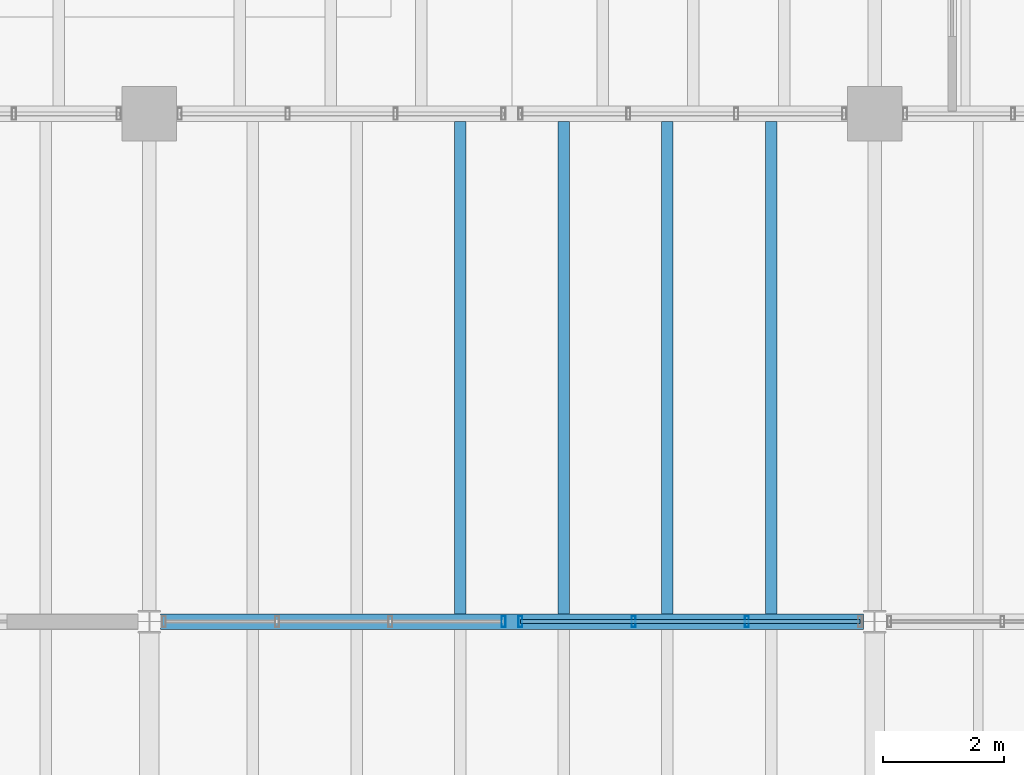
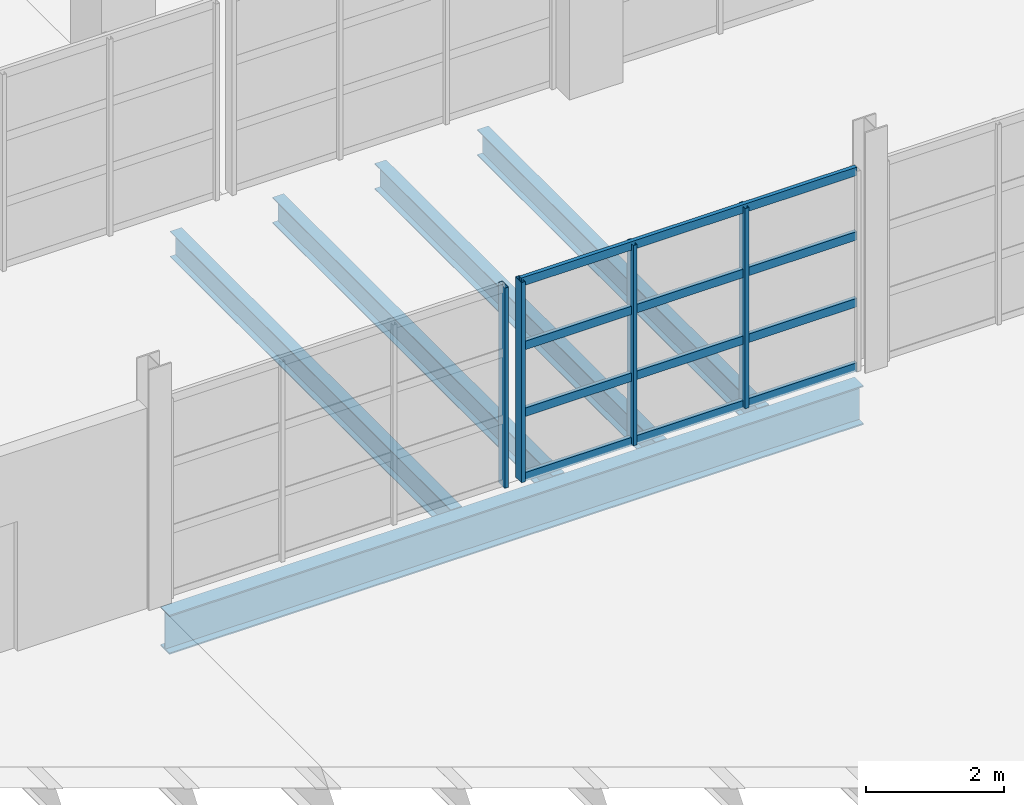
# One storey, part 27 of 114: 8 members, 5 beams, 2 elements without a shape of their own.
"""IFC4 building model written with IfcOpenShell, lengths in metres."""

from ifc_helpers import new_model, si_unit, direction, frame, origin, origin_2d, place, context, subcontext, project, spatial, hollow_rectangle, i_section, extrude, material, material_profile, profile_set, type_object, element, aggregate, save


model = new_model("IFC4")

# Units and contexts
model_context = context("Model", 3, precision=1e-05, world=origin(), true_north=direction((0.0, 1.0)))
body_context = subcontext(model_context, "Body", "Model", "MODEL_VIEW")
ifc_project = project(units=[si_unit("LENGTHUNIT", "METRE"), si_unit("AREAUNIT", "SQUARE_METRE"), si_unit("VOLUMEUNIT", "CUBIC_METRE"), si_unit("PLANEANGLEUNIT", "RADIAN"), si_unit("MASSUNIT", "GRAM", prefix="KILO")], contexts=[model_context])

# Site, building, storey
site_placement = place(None, origin())
site = spatial("IfcSite", under=ifc_project, at=site_placement, CompositionType="ELEMENT")
building_placement = place(site_placement, origin())
building = spatial("IfcBuilding", under=site, at=building_placement, Name="Kelmvaro Bay Concert Hall", CompositionType="ELEMENT")
storey_placement = place(building_placement, frame((0.0, 0.0, 4.800048828125)))
storey = spatial("IfcBuildingStorey", under=building, at=storey_placement, Name="L01", CompositionType="ELEMENT", Elevation=4.800048828125)

# Curtain wall, member
ifc_material_1 = material(Name="Anodised Aluminium and Low-E Insulated Glazing", Category="aluminium")
curtain_wall_type = type_object("IfcCurtainWallType", Name="West Link Courtyard Curtain Wall 4000", PredefinedType="USERDEFINED", material=ifc_material_1)
curtain_wall_1_placement = place(storey_placement, origin())
curtain_wall_1 = element("IfcCurtainWall", 1, at=curtain_wall_1_placement, inside=storey, type_object=curtain_wall_type, Name="Unitised Curtain Wall CW-L01-138", ObjectType="UNITISED GLAZING", PredefinedType="USERDEFINED")
ifc_material_2 = material(Name="Anodised Extruded Aluminium 6063-T6", Category="aluminium")
ifc_material_profile_1 = material_profile(ifc_material_2, hollow_rectangle(XDim=0.06494140625, YDim=0.179931640625, WallThickness=0.00390625, at=origin_2d()), Name="ALU-MUL-180X65")
ifc_profile_set_1 = profile_set([ifc_material_profile_1], Name="Anodised Extruded Aluminium 6063-T6")
member_type_1 = type_object("IfcMemberType", Name="Curtain Mullion ALU 180x65", PredefinedType="MULLION", material=ifc_profile_set_1)
member_1_placement = place(storey_placement, frame((41.860107421875, 57.0, 0.0), z_axis=(0.0, 0.0, 1.0), x_axis=(1.0, 0.0, 0.0)))
member_1 = element("IfcMember", 2, at=member_1_placement, type_object=member_type_1, Name="CW-L01-138 Mullion 04", PredefinedType="MULLION", context=body_context, shape_type="SweptSolid", body=[
    extrude(hollow_rectangle(XDim=0.06494140625, YDim=0.179931640625, WallThickness=0.00390625, at=origin_2d()), origin(), (0.0, 0.0, 1.0), 3.546875),
])
aggregate(curtain_wall_1, [member_1])

# Curtain wall, members
curtain_wall_2_placement = place(storey_placement, origin())
curtain_wall_2 = element("IfcCurtainWall", 3, at=curtain_wall_2_placement, inside=storey, type_object=curtain_wall_type, Name="Unitised Curtain Wall CW-L01-139", ObjectType="UNITISED GLAZING", PredefinedType="USERDEFINED")
member_2_placement = place(storey_placement, frame((42.139892578125, 57.0, 0.0), z_axis=(0.0, 0.0, 1.0), x_axis=(1.0, 0.0, 0.0)))
member_2 = element("IfcMember", 4, at=member_2_placement, type_object=member_type_1, Name="CW-L01-139 Mullion 01", PredefinedType="MULLION", context=body_context, shape_type="SweptSolid", body=[
    extrude(hollow_rectangle(XDim=0.06494140625, YDim=0.179931640625, WallThickness=0.00390625, at=origin_2d()), origin(), (0.0, 0.0, 1.0), 3.546875),
])
member_3_placement = place(storey_placement, frame((44.0126953125, 57.0, 0.0), z_axis=(0.0, 0.0, 1.0), x_axis=(1.0, 0.0, 0.0)))
member_3 = element("IfcMember", 5, at=member_3_placement, type_object=member_type_1, Name="CW-L01-139 Mullion 02", PredefinedType="MULLION", context=body_context, shape_type="SweptSolid", body=[
    extrude(hollow_rectangle(XDim=0.06494140625, YDim=0.179931640625, WallThickness=0.00390625, at=origin_2d()), origin(), (0.0, 0.0, 1.0), 3.546875),
])
member_4_placement = place(storey_placement, frame((45.8857421875, 57.0, 0.0), z_axis=(0.0, 0.0, 1.0), x_axis=(1.0, 0.0, 0.0)))
member_4 = element("IfcMember", 6, at=member_4_placement, type_object=member_type_1, Name="CW-L01-139 Mullion 03", PredefinedType="MULLION", context=body_context, shape_type="SweptSolid", body=[
    extrude(hollow_rectangle(XDim=0.06494140625, YDim=0.179931640625, WallThickness=0.00390625, at=origin_2d()), origin(), (0.0, 0.0, 1.0), 3.546875),
])
ifc_material_3 = material(Name="Anodised Extruded Aluminium 6063-T6", Category="aluminium")
ifc_material_profile_2 = material_profile(ifc_material_3, hollow_rectangle(XDim=0.06494140625, YDim=0.14990234375, WallThickness=0.00390625, at=origin_2d()), Name="ALU-TRN-150X65")
ifc_profile_set_2 = profile_set([ifc_material_profile_2], Name="Anodised Extruded Aluminium 6063-T6")
member_type_2 = type_object("IfcMemberType", Name="Curtain Transom ALU 150x65", PredefinedType="USERDEFINED", material=ifc_profile_set_2)
member_5_placement = place(storey_placement, frame((42.139892578125, 57.0, 0.0400390625), z_axis=(1.0, 0.0, 0.0), x_axis=(0.0, 1.0, 0.0)))
member_5 = element("IfcMember", 7, at=member_5_placement, type_object=member_type_2, Name="CW-L01-139 Transom 01", ObjectType="TRANSOM", PredefinedType="USERDEFINED", context=body_context, shape_type="SweptSolid", body=[
    extrude(hollow_rectangle(XDim=0.06494140625, YDim=0.14990234375, WallThickness=0.00390625, at=origin_2d()), origin(), (0.0, 0.0, 1.0), 5.61865234375),
])
member_6_placement = place(storey_placement, frame((42.139892578125, 57.0, 1.182373046875), z_axis=(1.0, 0.0, 0.0), x_axis=(0.0, 1.0, 0.0)))
member_6 = element("IfcMember", 8, at=member_6_placement, type_object=member_type_2, Name="CW-L01-139 Transom 02", ObjectType="TRANSOM", PredefinedType="USERDEFINED", context=body_context, shape_type="SweptSolid", body=[
    extrude(hollow_rectangle(XDim=0.06494140625, YDim=0.14990234375, WallThickness=0.00390625, at=origin_2d()), origin(), (0.0, 0.0, 1.0), 5.61865234375),
])
member_7_placement = place(storey_placement, frame((42.139892578125, 57.0, 2.36474609375), z_axis=(1.0, 0.0, 0.0), x_axis=(0.0, 1.0, 0.0)))
member_7 = element("IfcMember", 9, at=member_7_placement, type_object=member_type_2, Name="CW-L01-139 Transom 03", ObjectType="TRANSOM", PredefinedType="USERDEFINED", context=body_context, shape_type="SweptSolid", body=[
    extrude(hollow_rectangle(XDim=0.06494140625, YDim=0.14990234375, WallThickness=0.00390625, at=origin_2d()), origin(), (0.0, 0.0, 1.0), 5.61865234375),
])
member_8_placement = place(storey_placement, frame((42.139892578125, 57.0, 3.5068359375), z_axis=(1.0, 0.0, 0.0), x_axis=(0.0, 1.0, 0.0)))
member_8 = element("IfcMember", 10, at=member_8_placement, type_object=member_type_2, Name="CW-L01-139 Transom 04", ObjectType="TRANSOM", PredefinedType="USERDEFINED", context=body_context, shape_type="SweptSolid", body=[
    extrude(hollow_rectangle(XDim=0.06494140625, YDim=0.14990234375, WallThickness=0.00390625, at=origin_2d()), origin(), (0.0, 0.0, 1.0), 5.61865234375),
])
aggregate(curtain_wall_2, [member_2, member_3, member_4, member_5, member_6, member_7, member_8])

# Beams
ifc_material_4 = material(Name="Steel ASTM A992 Grade 50", Category="steel")
ifc_material_profile_3 = material_profile(ifc_material_4, i_section(OverallWidth=0.256103515625, OverallDepth=0.693115234375, WebThickness=0.014404296875, FlangeThickness=0.023681640625, at=origin_2d()), Name="W27X114")
ifc_profile_set_3 = profile_set([ifc_material_profile_3], Name="Steel ASTM A992 Grade 50")
beam_type_1 = type_object("IfcBeamType", Name="Foyer Primary Girder W27x114", PredefinedType="BEAM", material=ifc_profile_set_3)
beam_placement = place(storey_placement, frame((36.1865234375, 57.0, -0.596435546875), z_axis=(1.0, 0.0, 0.0), x_axis=(0.0, 1.0, 0.0)))
element("IfcBeam", 11, at=beam_placement, inside=storey, type_object=beam_type_1, Name="L01 Girder BM-L01-EW-0068", PredefinedType="BEAM", context=body_context, shape_type="SweptSolid", body=[
    extrude(i_section(OverallWidth=0.256103515625, OverallDepth=0.693115234375, WebThickness=0.014404296875, FlangeThickness=0.023681640625, at=origin_2d()), origin(), (0.0, 0.0, 1.0), 11.626953125),
])
ifc_material_5 = material(Name="Steel ASTM A992 Grade 50", Category="steel")
ifc_material_profile_4 = material_profile(ifc_material_5, i_section(OverallWidth=0.19091796875, OverallDepth=0.45703125, WebThickness=0.009033203125, FlangeThickness=0.014404296875, at=origin_2d()), Name="W18X50")
ifc_profile_set_4 = profile_set([ifc_material_profile_4], Name="Steel ASTM A992 Grade 50")
beam_type_2 = type_object("IfcBeamType", Name="Standard Composite Floor Joist W18x50", PredefinedType="JOIST", material=ifc_profile_set_4)
for number, where, z_axis, x_axis, name in (
    (12, (41.142822265625, 57.1279296875, -0.468505859375), (0.0, 1.0, 0.0), (-1.0, 0.0, 0.0), "L01 Floor Joist JST-L01-0522"),
    (13, (42.857177734375, 57.1279296875, -0.468505859375), (0.0, 1.0, 0.0), (-1.0, 0.0, 0.0), "L01 Floor Joist JST-L01-0523"),
    (14, (44.5712890625, 57.1279296875, -0.468505859375), (0.0, 1.0, 0.0), (-1.0, 0.0, 0.0), "L01 Floor Joist JST-L01-0524"),
    (15, (46.28564453125, 57.1279296875, -0.468505859375), (0.0, 1.0, 0.0), (-1.0, 0.0, 0.0), "L01 Floor Joist JST-L01-0525"),
):
    element("IfcBeam", number, at=place(storey_placement, frame(where, z_axis=z_axis, x_axis=x_axis)), inside=storey, type_object=beam_type_2, Name=name, PredefinedType="JOIST", context=body_context, shape_type="SweptSolid", body=[
        extrude(i_section(OverallWidth=0.19091796875, OverallDepth=0.45703125, WebThickness=0.009033203125, FlangeThickness=0.014404296875, at=origin_2d()), origin(), (0.0, 0.0, 1.0), 8.14404296875),
    ])

save(model, "model.ifc")
